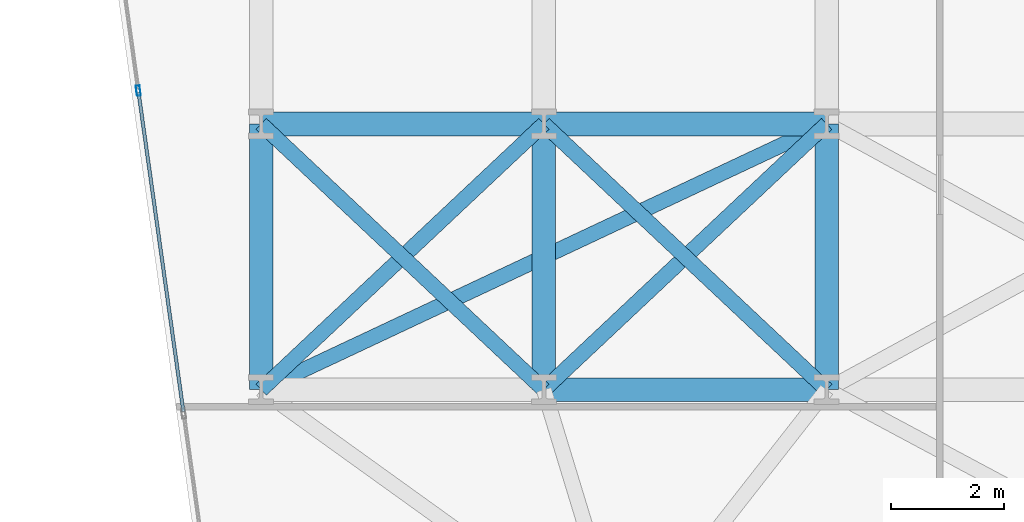
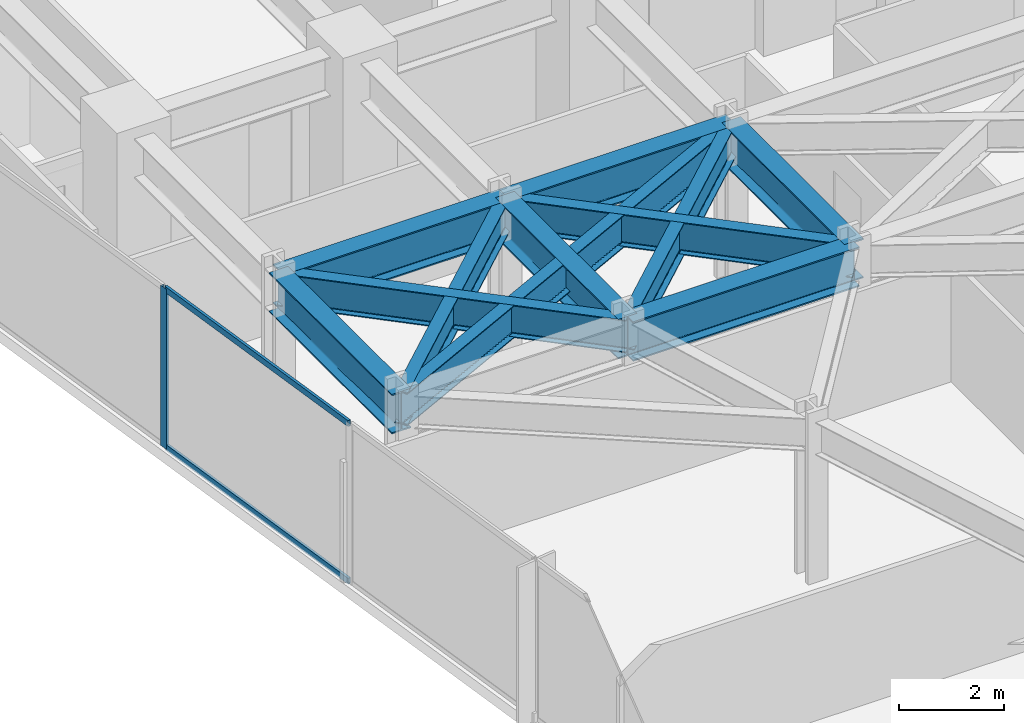
# One storey, part 8 of 25: 11 beams, 3 members, 1 element without a shape of its own.
"""IFC4 building model written with IfcOpenShell, lengths in metres."""

from ifc_helpers import new_model, si_unit, direction, frame, origin, origin_2d, place, context, subcontext, project, spatial, hollow_rectangle, i_section, extrude, material, layer, layer_set, material_profile, profile_set, type_object, element, aggregate, save


model = new_model("IFC4")

# Units and contexts
model_context = context("Model", 3, precision=1e-05, world=origin(), true_north=direction((0.0, 1.0)))
body_context = subcontext(model_context, "Body", "Model", "MODEL_VIEW")
ifc_project = project(units=[si_unit("LENGTHUNIT", "METRE"), si_unit("AREAUNIT", "SQUARE_METRE"), si_unit("VOLUMEUNIT", "CUBIC_METRE"), si_unit("PLANEANGLEUNIT", "RADIAN"), si_unit("MASSUNIT", "GRAM", prefix="KILO")], contexts=[model_context])

# Site, building, storey
site_placement = place(None, origin())
site = spatial("IfcSite", under=ifc_project, at=site_placement, CompositionType="ELEMENT")
building_placement = place(site_placement, origin())
building = spatial("IfcBuilding", under=site, at=building_placement, Name="Kravanh Interchange Tower", CompositionType="ELEMENT")
storey_placement = place(building_placement, frame((0.0, 0.0, 33.5)))
storey = spatial("IfcBuildingStorey", under=building, at=storey_placement, Name="L07", CompositionType="ELEMENT", Elevation=33.5)

# Curtain wall, members
ifc_material_1 = material(Name="Anodised Bronze Aluminium", Category="aluminium")
ifc_layer = layer(ifc_material_1, 0.179931640625)
ifc_layer_set = layer_set([ifc_layer], Name="Unitised Curtain Wall System CW-Z1 Lower Office")
curtain_wall_type = type_object("IfcCurtainWallType", Name="Unitised Curtain Wall System CW-Z1 Lower Office", PredefinedType="NOTDEFINED", material=ifc_layer_set)
curtain_wall_placement = place(storey_placement, origin())
curtain_wall = element("IfcCurtainWall", 1, at=curtain_wall_placement, inside=storey, type_object=curtain_wall_type, Name="L07 Unitised Curtain Wall CW-L07-01", PredefinedType="NOTDEFINED")
ifc_material_2 = material(Name="Anodised Bronze Aluminium", Category="aluminium")
ifc_material_profile_1 = material_profile(ifc_material_2, hollow_rectangle(XDim=0.070068359375, YDim=0.179931640625, WallThickness=0.00390625, at=origin_2d()), Name="ALU70X180X4")
ifc_profile_set_1 = profile_set([ifc_material_profile_1], Name="Anodised Bronze Aluminium")
member_type_1 = type_object("IfcMemberType", Name="Curtain Wall Mullion ALU70X180X4 Bronze", PredefinedType="MULLION", material=ifc_profile_set_1)
member_1_placement = place(storey_placement, frame((6.427490234375, 32.08935546875, 0.0), z_axis=(0.0, 0.0, 1.0), x_axis=(-0.990267585682, -0.139176538065, 0.0)))
member_1 = element("IfcMember", 2, at=member_1_placement, type_object=member_type_1, Name="CW-Z1 mullion 6", PredefinedType="MULLION", context=body_context, shape_type="SweptSolid", body=[
    extrude(hollow_rectangle(XDim=0.070068359375, YDim=0.179931640625, WallThickness=0.00390625, at=origin_2d()), origin(), (0.0, 0.0, 1.0), 3.739990234375),
])
ifc_material_3 = material(Name="Anodised Bronze Aluminium", Category="aluminium")
ifc_material_profile_2 = material_profile(ifc_material_3, hollow_rectangle(XDim=0.06005859375, YDim=0.139892578125, WallThickness=0.00390625, at=origin_2d()), Name="ALU60X140X4")
ifc_profile_set_2 = profile_set([ifc_material_profile_2], Name="Anodised Bronze Aluminium")
member_type_2 = type_object("IfcMemberType", Name="Curtain Wall Transom ALU60X140X4 Bronze", PredefinedType="USERDEFINED", material=ifc_profile_set_2)
member_2_placement = place(storey_placement, frame((7.22509765625, 26.41357421875, 0.030029296875), z_axis=(-0.139158957544, 0.990270056366, 0.0), x_axis=(-0.990270056366, -0.139158957544, 0.0)))
member_2 = element("IfcMember", 3, at=member_2_placement, type_object=member_type_2, Name="CW-Z1 transom 5.1", ObjectType="TRANSOM", PredefinedType="USERDEFINED", context=body_context, shape_type="SweptSolid", body=[
    extrude(hollow_rectangle(XDim=0.06005859375, YDim=0.139892578125, WallThickness=0.00390625, at=origin_2d()), origin(), (0.0, 0.0, 1.0), 5.696533203125),
])
member_3_placement = place(storey_placement, frame((7.22509765625, 26.41357421875, 3.7099609375), z_axis=(-0.139158957544, 0.990270056366, 0.0), x_axis=(-0.990270056366, -0.139158957544, 0.0)))
member_3 = element("IfcMember", 4, at=member_3_placement, type_object=member_type_2, Name="CW-Z1 transom 5.2", ObjectType="TRANSOM", PredefinedType="USERDEFINED", context=body_context, shape_type="SweptSolid", body=[
    extrude(hollow_rectangle(XDim=0.06005859375, YDim=0.139892578125, WallThickness=0.00390625, at=origin_2d()), origin(), (0.0, 0.0, 1.0), 5.696533203125),
])
aggregate(curtain_wall, [member_1, member_2, member_3])

# Beams
ifc_material_4 = material(Name="Structural Steel S355", Category="steel")
ifc_material_profile_3 = material_profile(ifc_material_4, i_section(OverallWidth=0.41796875, OverallDepth=0.927001953125, WebThickness=0.019287109375, FlangeThickness=0.031982421875, FilletRadius=0.028076171875, at=origin_2d()), Name="W36X231")
ifc_profile_set_3 = profile_set([ifc_material_profile_3], Name="Structural Steel S355")
beam_type_1 = type_object("IfcBeamType", Name="Floor Beam W36X231 Structural Steel S355", PredefinedType="BEAM", material=ifc_profile_set_3)
for number, where, z_axis, x_axis, name in (
    (5, (8.60009765625, 26.800048828125, 3.276611328125), (0.0, 1.0, 0.0), (-1.0, 0.0, 0.0), "L07 Primary Floor Girder 66"),
    (6, (13.60009765625, 26.800048828125, 3.276611328125), (0.0, 1.0, 0.0), (-1.0, 0.0, 0.0), "L07 Primary Floor Girder 70"),
):
    element("IfcBeam", number, at=place(storey_placement, frame(where, z_axis=z_axis, x_axis=x_axis)), inside=storey, type_object=beam_type_1, Name=name, PredefinedType="BEAM", context=body_context, shape_type="SweptSolid", body=[
        extrude(i_section(OverallWidth=0.41796875, OverallDepth=0.927001953125, WebThickness=0.019287109375, FlangeThickness=0.031982421875, FilletRadius=0.028076171875, at=origin_2d()), origin(), (0.0, 0.0, 1.0), 4.699951171875),
    ])
beam_1_placement = place(storey_placement, frame((13.60009765625, 26.800048828125, 3.276611328125), z_axis=(1.0, 0.0, 0.0), x_axis=(0.0, 1.0, 0.0)))
element("IfcBeam", 7, at=beam_1_placement, inside=storey, type_object=beam_type_1, Name="L07 Primary Floor Girder 71", PredefinedType="BEAM", context=body_context, shape_type="SweptSolid", body=[
    extrude(i_section(OverallWidth=0.41796875, OverallDepth=0.927001953125, WebThickness=0.019287109375, FlangeThickness=0.031982421875, FilletRadius=0.028076171875, at=origin_2d()), origin(), (0.0, 0.0, 1.0), 5.0),
])
beam_2_placement = place(storey_placement, frame((18.60009765625, 26.800048828125, 3.276611328125), z_axis=(0.0, 1.0, 0.0), x_axis=(-1.0, 0.0, 0.0)))
element("IfcBeam", 8, at=beam_2_placement, inside=storey, type_object=beam_type_1, Name="L07 Primary Floor Girder 74", PredefinedType="BEAM", context=body_context, shape_type="SweptSolid", body=[
    extrude(i_section(OverallWidth=0.41796875, OverallDepth=0.927001953125, WebThickness=0.019287109375, FlangeThickness=0.031982421875, FilletRadius=0.028076171875, at=origin_2d()), origin(), (0.0, 0.0, 1.0), 4.699951171875),
])
for number, where, z_axis, x_axis, name in (
    (9, (8.60009765625, 31.5, 3.276611328125), (1.0, 0.0, 0.0), (0.0, 1.0, 0.0), "L07 Primary Floor Girder 100"),
    (10, (13.60009765625, 31.5, 3.276611328125), (1.0, 0.0, 0.0), (0.0, 1.0, 0.0), "L07 Primary Floor Girder 101"),
):
    element("IfcBeam", number, at=place(storey_placement, frame(where, z_axis=z_axis, x_axis=x_axis)), inside=storey, type_object=beam_type_1, Name=name, PredefinedType="BEAM", context=body_context, shape_type="SweptSolid", body=[
        extrude(i_section(OverallWidth=0.41796875, OverallDepth=0.927001953125, WebThickness=0.019287109375, FlangeThickness=0.031982421875, FilletRadius=0.028076171875, at=origin_2d()), origin(), (0.0, 0.0, 1.0), 5.0),
    ])
ifc_material_5 = material(Name="Structural Steel S355", Category="steel")
ifc_material_profile_4 = material_profile(ifc_material_5, i_section(OverallWidth=0.26708984375, OverallDepth=0.761962890625, WebThickness=0.014404296875, FlangeThickness=0.021484375, FilletRadius=0.02490234375, at=origin_2d()), Name="W30X116")
ifc_profile_set_4 = profile_set([ifc_material_profile_4], Name="Structural Steel S355")
beam_type_2 = type_object("IfcBeamType", Name="Floor Spandrel W30X116 Structural Steel S355", PredefinedType="SPANDREL", material=ifc_profile_set_4)
beam_3_placement = place(storey_placement, frame((8.60009765625, 26.800048828125, 3.35888671875), z_axis=(0.728631219862, 0.684906231131, 0.0), x_axis=(-0.684906231131, 0.728631219862, 0.0)))
element("IfcBeam", 11, at=beam_3_placement, inside=storey, type_object=beam_type_2, Name="L07 Perimeter Spandrel 68", PredefinedType="SPANDREL", context=body_context, shape_type="SweptSolid", body=[
    extrude(i_section(OverallWidth=0.26708984375, OverallDepth=0.761962890625, WebThickness=0.014404296875, FlangeThickness=0.021484375, FilletRadius=0.02490234375, at=origin_2d()), origin(), (0.0, 0.0, 1.0), 6.862060546875),
])
beam_4_placement = place(storey_placement, frame((8.60009765625, 26.800048828125, 3.35888671875), z_axis=(0.905025402916, 0.425357520301, 0.0), x_axis=(-0.425357520301, 0.905025402916, 0.0)))
element("IfcBeam", 12, at=beam_4_placement, inside=storey, type_object=beam_type_2, Name="L07 Perimeter Spandrel 69", PredefinedType="SPANDREL", context=body_context, shape_type="SweptSolid", body=[
    extrude(i_section(OverallWidth=0.26708984375, OverallDepth=0.761962890625, WebThickness=0.014404296875, FlangeThickness=0.021484375, FilletRadius=0.02490234375, at=origin_2d()), origin(), (0.0, 0.0, 1.0), 11.04931640625),
])
for number, where, z_axis, x_axis, name in (
    (13, (13.60009765625, 26.800048828125, 3.35888671875), (-0.728631219862, 0.684906231131, 0.0), (-0.684906231131, -0.728631219862, 0.0), "L07 Perimeter Spandrel 72"),
    (14, (13.60009765625, 26.800048828125, 3.35888671875), (0.728631219862, 0.684906231131, 0.0), (-0.684906231131, 0.728631219862, 0.0), "L07 Perimeter Spandrel 73"),
    (15, (18.60009765625, 26.800048828125, 3.35888671875), (-0.728631219862, 0.684906231131, 0.0), (-0.684906231131, -0.728631219862, 0.0), "L07 Perimeter Spandrel 75"),
):
    element("IfcBeam", number, at=place(storey_placement, frame(where, z_axis=z_axis, x_axis=x_axis)), inside=storey, type_object=beam_type_2, Name=name, PredefinedType="SPANDREL", context=body_context, shape_type="SweptSolid", body=[
        extrude(i_section(OverallWidth=0.26708984375, OverallDepth=0.761962890625, WebThickness=0.014404296875, FlangeThickness=0.021484375, FilletRadius=0.02490234375, at=origin_2d()), origin(), (0.0, 0.0, 1.0), 6.862060546875),
    ])

save(model, "model.ifc")
